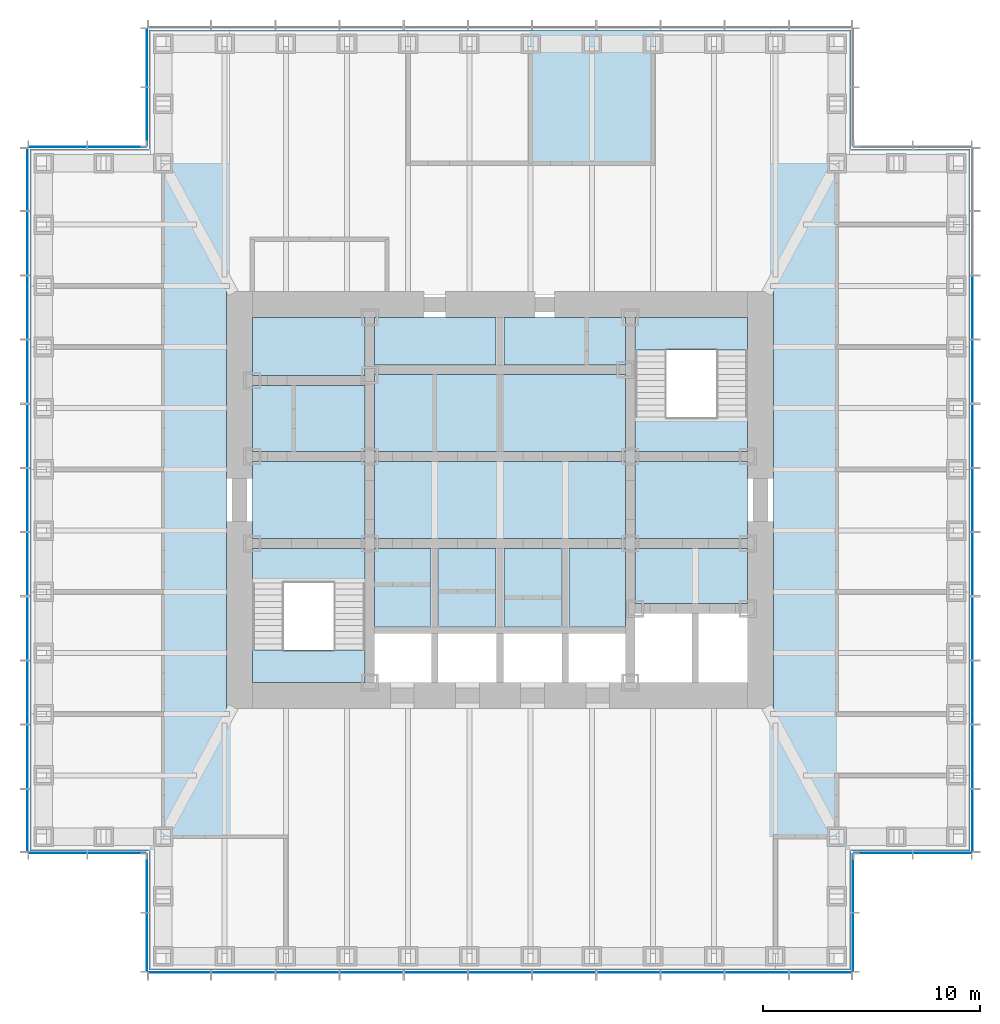
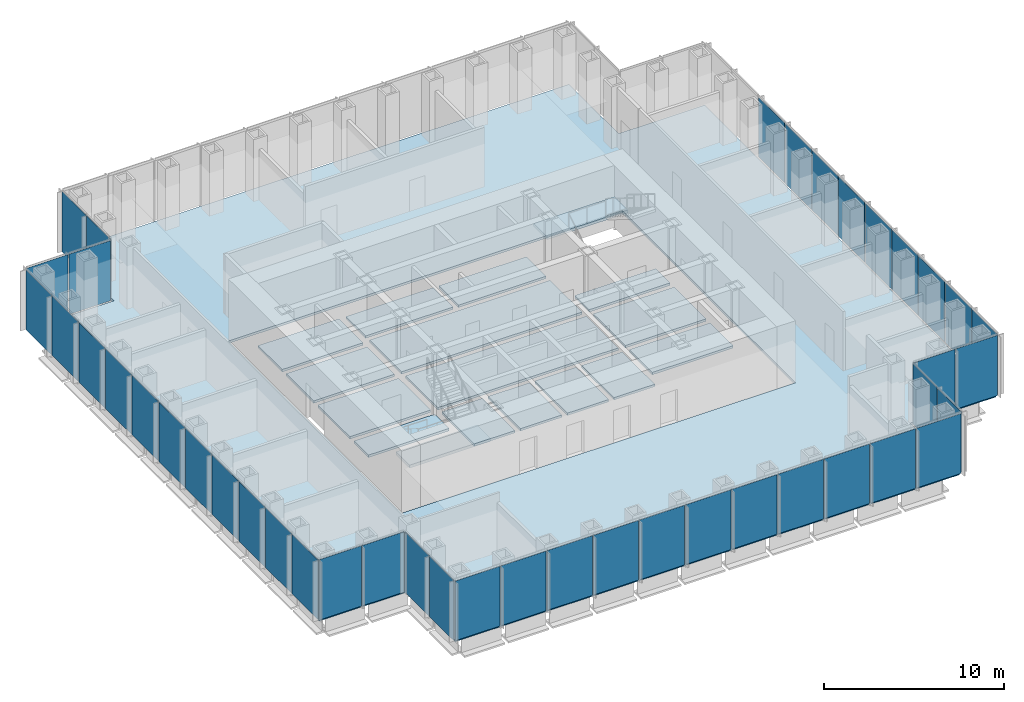
# One storey, part 7 of 16: 43 plates, 18 slabs, 11 elements without a shape of their own.
"""IFC4 building model written with IfcOpenShell, lengths in metres."""

import ifcopenshell
import ifcopenshell.guid

model = None  # the IFC model being written
_history = None  # IfcOwnerHistory: only IFC2X3 demands one
_inside = {}  # id of a spatial element -> (the spatial element, [elements in it])
_under = {}  # id of a project, library or spatial element -> (it, [spatial elements below it])
_declared = {}  # id of a project -> (the project, [libraries it declares])
_typed = {}  # id of a type object -> (the type object, [elements of that type])
_made_of = {}  # id of a material, layer set ... -> (it, [elements and type objects made of it])


def new_model(schema):
    """Start an empty IFC model of exactly this schema.

    Asked for "IFC4X3", IfcOpenShell would pick the latest addendum, in which some entities
    have other attributes; the version numbers below select the first issue.
    IFC2X3 requires an IfcOwnerHistory on every rooted entity: one is made here for all.
    """
    global model, _history
    if schema == "IFC4X3":
        model = ifcopenshell.file(schema_version=(4, 3, 0, 0))
    else:
        model = ifcopenshell.file(schema=schema)
    _inside.clear()
    _under.clear()
    _declared.clear()
    _typed.clear()
    _made_of.clear()
    _history = None
    if model.schema == "IFC2X3":
        org = make("IfcOrganization", Name="unknown")
        user = make(
            "IfcPersonAndOrganization",
            ThePerson=make("IfcPerson", FamilyName="unknown"),
            TheOrganization=org,
        )
        app = make(
            "IfcApplication",
            ApplicationDeveloper=org,
            Version="unknown",
            ApplicationFullName="unknown",
            ApplicationIdentifier="unknown",
        )
        _history = make(
            "IfcOwnerHistory",
            OwningUser=user,
            OwningApplication=app,
            ChangeAction="ADDED",
            CreationDate=0,
        )
    return model


def make(cls, **values):
    """One entity of the class cls with the attributes given. An attribute that is None is left unset."""
    return model.create_entity(
        cls, **{name: value for name, value in values.items() if value is not None}
    )


def rooted(cls, **values):
    """An entity with a GlobalId (a new one), such as an element, a storey or a relation."""
    return make(cls, GlobalId=ifcopenshell.guid.new(), OwnerHistory=_history, **values)


def si_unit(unit_type, name, prefix=None):
    """IfcSIUnit, for example si_unit("LENGTHUNIT", "METRE", prefix="MILLI")."""
    return make("IfcSIUnit", UnitType=unit_type, Prefix=prefix, Name=name)


def assignment(units):
    """IfcUnitAssignment: the units of a project."""
    return None if units is None else make("IfcUnitAssignment", Units=units)


def point(xyz):
    """IfcCartesianPoint."""
    return None if xyz is None else make("IfcCartesianPoint", Coordinates=xyz)


def direction(xyz):
    """IfcDirection."""
    return None if xyz is None else make("IfcDirection", DirectionRatios=xyz)


def frame(location, z_axis=None, x_axis=None):
    """IfcAxis2Placement3D, a coordinate frame: its origin and axes. An axis left out is left unset."""
    return make(
        "IfcAxis2Placement3D",
        Location=point(location),
        Axis=direction(z_axis),
        RefDirection=direction(x_axis),
    )


def frame_2d(location, x_axis=None):
    """IfcAxis2Placement2D, a coordinate frame in the plane: its origin and x axis."""
    return make(
        "IfcAxis2Placement2D", Location=point(location), RefDirection=direction(x_axis)
    )


def origin():
    """The frame at (0, 0, 0) with its axes left unset."""
    return frame((0.0, 0.0, 0.0))


def origin_2d():
    """The frame at (0, 0) in the plane with its x axis left unset."""
    return frame_2d((0.0, 0.0))


def place(relative_to, where):
    """IfcLocalPlacement: puts the frame where relative to a parent placement (None: the world)."""
    return make(
        "IfcLocalPlacement", PlacementRelTo=relative_to, RelativePlacement=where
    )


def context(
    kind, dimensions, precision=None, world=None, true_north=None, identifier=None
):
    """IfcGeometricRepresentationContext, for example the 3D "Model" context."""
    return make(
        "IfcGeometricRepresentationContext",
        ContextIdentifier=identifier,
        ContextType=kind,
        CoordinateSpaceDimension=dimensions,
        Precision=precision,
        WorldCoordinateSystem=world,
        TrueNorth=true_north,
    )


def subcontext(parent, identifier, kind, view, scale=None):
    """IfcGeometricRepresentationSubContext, for example "Body" below "Model"."""
    return make(
        "IfcGeometricRepresentationSubContext",
        ContextIdentifier=identifier,
        ContextType=kind,
        ParentContext=parent,
        TargetScale=scale,
        TargetView=view,
    )


def project(units=None, contexts=None):
    """IfcProject with its units and contexts."""
    return rooted(
        "IfcProject",
        Name="project",
        RepresentationContexts=contexts,
        UnitsInContext=assignment(units),
    )


def spatial(cls, under=None, at=None, **own):
    """A site, building, storey or space (cls), placed at a placement, below another one or the project."""
    s = rooted(cls, ObjectPlacement=at, **own)
    if under is not None:
        _under.setdefault(under.id(), (under, []))[1].append(s)
    return s


def polyline(points):
    """IfcPolyline through the points."""
    return make("IfcPolyline", Points=[point(p) for p in points])


def profile(cls, at=None, kind="AREA", **sizes):
    """A parametric profile (cls). Its sizes go by their IFC names, for example OverallWidth=200.0."""
    return make(cls, ProfileType=kind, Position=at, **sizes)


def rectangle(**sizes):
    """IfcRectangleProfileDef."""
    return profile("IfcRectangleProfileDef", **sizes)


def outline(outer, holes=None, kind="AREA"):
    """IfcArbitraryClosedProfileDef: a profile drawn as a closed curve; with holes, ...WithVoids."""
    if holes is None:
        return make("IfcArbitraryClosedProfileDef", ProfileType=kind, OuterCurve=outer)
    return make(
        "IfcArbitraryProfileDefWithVoids",
        ProfileType=kind,
        OuterCurve=outer,
        InnerCurves=holes,
    )


def extrude(swept, where, along, depth):
    """IfcExtrudedAreaSolid: the profile swept, set in the frame where, extruded along a direction by depth."""
    return make(
        "IfcExtrudedAreaSolid",
        SweptArea=swept,
        Position=where,
        ExtrudedDirection=direction(along),
        Depth=depth,
    )


def shape(context_of_items, identifier, shape_type, items):
    """IfcShapeRepresentation: the items that make up one representation, for example the "Body"."""
    return make(
        "IfcShapeRepresentation",
        ContextOfItems=context_of_items,
        RepresentationIdentifier=identifier,
        RepresentationType=shape_type,
        Items=items,
    )


def material(Name=None, Category=None):
    """IfcMaterial."""
    return make("IfcMaterial", Name=Name, Category=Category)


def layer(
    of_material, thickness, ventilated=None, Name=None, Category=None, Priority=None
):
    """IfcMaterialLayer: one layer of a wall or slab, of a material (None: an air gap)."""
    return make(
        "IfcMaterialLayer",
        Material=of_material,
        LayerThickness=thickness,
        IsVentilated=ventilated,
        Name=Name,
        Category=Category,
        Priority=Priority,
    )


def layer_set(layers, Name=None):
    """IfcMaterialLayerSet."""
    return make("IfcMaterialLayerSet", MaterialLayers=layers, LayerSetName=Name)


def made_of(thing, what):
    """Note that an element or type object is made of a material, layer set ...; save() writes the relation."""
    if what is not None:
        _made_of.setdefault(what.id(), (what, []))[1].append(thing)
    return thing


def type_object(cls, material=None, **own):
    """A type object (cls), such as IfcWallType, which elements share."""
    return made_of(rooted(cls, **own), material)


def element(
    cls,
    number,
    at=None,
    inside=None,
    cuts=None,
    type_object=None,
    material=None,
    context=None,
    identifier="Body",
    shape_type=None,
    held_by="IfcProductDefinitionShape",
    body=None,
    shapes=None,
    **own,
):
    """One element of the class cls, such as IfcWall. Its Tag is "e" and its number.

    at: its placement. inside: the storey or other place that contains it. cuts: it is an
    opening in that element (IfcRelVoidsElement). A single representation is given by context,
    identifier, shape_type and body (its items); several are given by shapes. held_by: the class
    of the entity that holds the representations. save() writes the other relations.
    """
    e = rooted(cls, Tag="e%d" % number, ObjectPlacement=at, **own)
    if body is not None:
        shapes = [shape(context, identifier, shape_type, body)]
    if shapes is not None:
        e.Representation = make(held_by, Representations=shapes)
    if inside is not None:
        _inside.setdefault(inside.id(), (inside, []))[1].append(e)
    if cuts is not None:
        rooted(
            "IfcRelVoidsElement", RelatingBuildingElement=cuts, RelatedOpeningElement=e
        )
    if type_object is not None:
        _typed.setdefault(type_object.id(), (type_object, []))[1].append(e)
    return made_of(e, material)


def aggregate(whole, parts):
    """IfcRelAggregates: a whole, such as a stair, and the parts it consists of."""
    return rooted("IfcRelAggregates", RelatingObject=whole, RelatedObjects=parts)


def save(model, path):
    """Write the relations noted so far, then the file.

    IfcRelAggregates (storeys below a building ...), IfcRelContainedInSpatialStructure (elements
    in a storey), IfcRelDefinesByType, IfcRelAssociatesMaterial and IfcRelDeclares: one each for
    every whole, place, type object, material and project.
    """
    for whole, parts in _under.values():
        aggregate(whole, parts)
    for where, things in _inside.values():
        rooted(
            "IfcRelContainedInSpatialStructure",
            RelatedElements=things,
            RelatingStructure=where,
        )
    for kind, things in _typed.values():
        rooted("IfcRelDefinesByType", RelatedObjects=things, RelatingType=kind)
    for what, things in _made_of.values():
        rooted("IfcRelAssociatesMaterial", RelatedObjects=things, RelatingMaterial=what)
    for by, libraries in _declared.values():
        rooted("IfcRelDeclares", RelatingContext=by, RelatedDefinitions=libraries)
    model.write(path)


model = new_model("IFC4")

# Units and contexts
model_context = context("Model", 3, precision=1e-05, world=origin(), true_north=direction((0.0, 1.0)))
body_context = subcontext(model_context, "Body", "Model", "MODEL_VIEW")
ifc_project = project(units=[si_unit("LENGTHUNIT", "METRE"), si_unit("AREAUNIT", "SQUARE_METRE"), si_unit("VOLUMEUNIT", "CUBIC_METRE"), si_unit("PLANEANGLEUNIT", "RADIAN"), si_unit("MASSUNIT", "GRAM", prefix="KILO")], contexts=[model_context])

# Site, building, storey
site_placement = place(None, origin())
site = spatial("IfcSite", under=ifc_project, at=site_placement, CompositionType="ELEMENT")
building_placement = place(site_placement, origin())
building = spatial("IfcBuilding", under=site, at=building_placement, Name="Daluyong Arena Tower", CompositionType="ELEMENT")
storey_placement = place(building_placement, frame((0.0, 0.0, 189.699951171875)))
storey = spatial("IfcBuildingStorey", under=building, at=storey_placement, Name="L42", CompositionType="ELEMENT", Elevation=189.699951171875)

# Curtain wall, plates
ifc_material_1 = material(Name="Bronze anodised aluminium and glass", Category="aluminium")
curtain_wall_type_1 = type_object("IfcCurtainWallType", Name="Curtain wall CW3", PredefinedType="USERDEFINED", material=ifc_material_1)
curtain_wall_1_placement = place(storey_placement, origin())
curtain_wall_1 = element("IfcCurtainWall", 1, at=curtain_wall_1_placement, inside=storey, type_object=curtain_wall_type_1, Name="curtain wall L42 S", ObjectType="UNITISED CURTAIN WALL", PredefinedType="USERDEFINED")
ifc_material_2 = material(Name="Tinted double glazed unit", Category="glass")
ifc_layer_1 = layer(ifc_material_2, 0.030029296875)
ifc_layer_set_1 = layer_set([ifc_layer_1], Name="Tinted double glazed unit")
plate_type_1 = type_object("IfcPlateType", Name="CW3 panel 30", PredefinedType="CURTAIN_PANEL", material=ifc_layer_set_1)
plate_1_placement = place(storey_placement, frame((41.244873046875, 58.25, 0.0), z_axis=(0.0, 0.0, 1.0), x_axis=(1.0, 0.0, 0.0)))
plate_1 = element("IfcPlate", 2, at=plate_1_placement, type_object=plate_type_1, Name="curtain wall L42 S panel 1", PredefinedType="CURTAIN_PANEL", context=body_context, shape_type="SweptSolid", body=[
    extrude(rectangle(XDim=2.849609375, YDim=0.030029296875, at=origin_2d()), origin(), (0.0, 0.0, 1.0), 4.0400390625),
])
plate_2_placement = place(storey_placement, frame((44.181884765625, 58.25, 0.0), z_axis=(0.0, 0.0, 1.0), x_axis=(1.0, 0.0, 0.0)))
plate_2 = element("IfcPlate", 3, at=plate_2_placement, type_object=plate_type_1, Name="curtain wall L42 S panel 2", PredefinedType="CURTAIN_PANEL", context=body_context, shape_type="SweptSolid", body=[
    extrude(rectangle(XDim=2.884521484375, YDim=0.030029296875, at=origin_2d()), origin(), (0.0, 0.0, 1.0), 4.0400390625),
])
plate_3_placement = place(storey_placement, frame((47.136474609375, 58.25, 0.0), z_axis=(0.0, 0.0, 1.0), x_axis=(1.0, 0.0, 0.0)))
plate_3 = element("IfcPlate", 4, at=plate_3_placement, type_object=plate_type_1, Name="curtain wall L42 S panel 3", PredefinedType="CURTAIN_PANEL", context=body_context, shape_type="SweptSolid", body=[
    extrude(rectangle(XDim=2.884521484375, YDim=0.030029296875, at=origin_2d()), origin(), (0.0, 0.0, 1.0), 4.0400390625),
])
plate_4_placement = place(storey_placement, frame((50.0908203125, 58.25, 0.0), z_axis=(0.0, 0.0, 1.0), x_axis=(1.0, 0.0, 0.0)))
plate_4 = element("IfcPlate", 5, at=plate_4_placement, type_object=plate_type_1, Name="curtain wall L42 S panel 4", PredefinedType="CURTAIN_PANEL", context=body_context, shape_type="SweptSolid", body=[
    extrude(rectangle(XDim=2.884521484375, YDim=0.030029296875, at=origin_2d()), origin(), (0.0, 0.0, 1.0), 4.0400390625),
])
plate_5_placement = place(storey_placement, frame((53.04541015625, 58.25, 0.0), z_axis=(0.0, 0.0, 1.0), x_axis=(1.0, 0.0, 0.0)))
plate_5 = element("IfcPlate", 6, at=plate_5_placement, type_object=plate_type_1, Name="curtain wall L42 S panel 5", PredefinedType="CURTAIN_PANEL", context=body_context, shape_type="SweptSolid", body=[
    extrude(rectangle(XDim=2.884521484375, YDim=0.030029296875, at=origin_2d()), origin(), (0.0, 0.0, 1.0), 4.0400390625),
])
plate_6_placement = place(storey_placement, frame((56.0, 58.25, 0.0), z_axis=(0.0, 0.0, 1.0), x_axis=(1.0, 0.0, 0.0)))
plate_6 = element("IfcPlate", 7, at=plate_6_placement, type_object=plate_type_1, Name="curtain wall L42 S panel 6", PredefinedType="CURTAIN_PANEL", context=body_context, shape_type="SweptSolid", body=[
    extrude(rectangle(XDim=2.884521484375, YDim=0.030029296875, at=origin_2d()), origin(), (0.0, 0.0, 1.0), 4.0400390625),
])
plate_7_placement = place(storey_placement, frame((58.95458984375, 58.25, 0.0), z_axis=(0.0, 0.0, 1.0), x_axis=(1.0, 0.0, 0.0)))
plate_7 = element("IfcPlate", 8, at=plate_7_placement, type_object=plate_type_1, Name="curtain wall L42 S panel 7", PredefinedType="CURTAIN_PANEL", context=body_context, shape_type="SweptSolid", body=[
    extrude(rectangle(XDim=2.884521484375, YDim=0.030029296875, at=origin_2d()), origin(), (0.0, 0.0, 1.0), 4.0400390625),
])
plate_8_placement = place(storey_placement, frame((61.9091796875, 58.25, 0.0), z_axis=(0.0, 0.0, 1.0), x_axis=(1.0, 0.0, 0.0)))
plate_8 = element("IfcPlate", 9, at=plate_8_placement, type_object=plate_type_1, Name="curtain wall L42 S panel 8", PredefinedType="CURTAIN_PANEL", context=body_context, shape_type="SweptSolid", body=[
    extrude(rectangle(XDim=2.884521484375, YDim=0.030029296875, at=origin_2d()), origin(), (0.0, 0.0, 1.0), 4.0400390625),
])
plate_9_placement = place(storey_placement, frame((64.863525390625, 58.25, 0.0), z_axis=(0.0, 0.0, 1.0), x_axis=(1.0, 0.0, 0.0)))
plate_9 = element("IfcPlate", 10, at=plate_9_placement, type_object=plate_type_1, Name="curtain wall L42 S panel 9", PredefinedType="CURTAIN_PANEL", context=body_context, shape_type="SweptSolid", body=[
    extrude(rectangle(XDim=2.884521484375, YDim=0.030029296875, at=origin_2d()), origin(), (0.0, 0.0, 1.0), 4.0400390625),
])
plate_10_placement = place(storey_placement, frame((67.818115234375, 58.25, 0.0), z_axis=(0.0, 0.0, 1.0), x_axis=(1.0, 0.0, 0.0)))
plate_10 = element("IfcPlate", 11, at=plate_10_placement, type_object=plate_type_1, Name="curtain wall L42 S panel 10", PredefinedType="CURTAIN_PANEL", context=body_context, shape_type="SweptSolid", body=[
    extrude(rectangle(XDim=2.884521484375, YDim=0.030029296875, at=origin_2d()), origin(), (0.0, 0.0, 1.0), 4.0400390625),
])
plate_11_placement = place(storey_placement, frame((70.755126953125, 58.25, 0.0), z_axis=(0.0, 0.0, 1.0), x_axis=(1.0, 0.0, 0.0)))
plate_11 = element("IfcPlate", 12, at=plate_11_placement, type_object=plate_type_1, Name="curtain wall L42 S panel 11", PredefinedType="CURTAIN_PANEL", context=body_context, shape_type="SweptSolid", body=[
    extrude(rectangle(XDim=2.849609375, YDim=0.030029296875, at=origin_2d()), origin(), (0.0, 0.0, 1.0), 4.0400390625),
])
aggregate(curtain_wall_1, [plate_1, plate_2, plate_3, plate_4, plate_5, plate_6, plate_7, plate_8, plate_9, plate_10, plate_11])

curtain_wall_2_placement = place(storey_placement, origin())
curtain_wall_2 = element("IfcCurtainWall", 13, at=curtain_wall_2_placement, inside=storey, type_object=curtain_wall_type_1, Name="curtain wall L42 E", ObjectType="UNITISED CURTAIN WALL", PredefinedType="USERDEFINED")
plate_12_placement = place(storey_placement, frame((77.75, 65.244873046875, 0.0), z_axis=(0.0, 0.0, 1.0), x_axis=(0.0, 1.0, 0.0)))
plate_12 = element("IfcPlate", 14, at=plate_12_placement, type_object=plate_type_1, Name="curtain wall L42 E panel 1", PredefinedType="CURTAIN_PANEL", context=body_context, shape_type="SweptSolid", body=[
    extrude(rectangle(XDim=2.849609375, YDim=0.030029296875, at=origin_2d()), origin(), (0.0, 0.0, 1.0), 4.0400390625),
])
plate_13_placement = place(storey_placement, frame((77.75, 68.181884765625, 0.0), z_axis=(0.0, 0.0, 1.0), x_axis=(0.0, 1.0, 0.0)))
plate_13 = element("IfcPlate", 15, at=plate_13_placement, type_object=plate_type_1, Name="curtain wall L42 E panel 2", PredefinedType="CURTAIN_PANEL", context=body_context, shape_type="SweptSolid", body=[
    extrude(rectangle(XDim=2.884521484375, YDim=0.030029296875, at=origin_2d()), origin(), (0.0, 0.0, 1.0), 4.0400390625),
])
plate_14_placement = place(storey_placement, frame((77.75, 71.136474609375, 0.0), z_axis=(0.0, 0.0, 1.0), x_axis=(0.0, 1.0, 0.0)))
plate_14 = element("IfcPlate", 16, at=plate_14_placement, type_object=plate_type_1, Name="curtain wall L42 E panel 3", PredefinedType="CURTAIN_PANEL", context=body_context, shape_type="SweptSolid", body=[
    extrude(rectangle(XDim=2.884521484375, YDim=0.030029296875, at=origin_2d()), origin(), (0.0, 0.0, 1.0), 4.0400390625),
])
plate_15_placement = place(storey_placement, frame((77.75, 74.0908203125, 0.0), z_axis=(0.0, 0.0, 1.0), x_axis=(0.0, 1.0, 0.0)))
plate_15 = element("IfcPlate", 17, at=plate_15_placement, type_object=plate_type_1, Name="curtain wall L42 E panel 4", PredefinedType="CURTAIN_PANEL", context=body_context, shape_type="SweptSolid", body=[
    extrude(rectangle(XDim=2.884521484375, YDim=0.030029296875, at=origin_2d()), origin(), (0.0, 0.0, 1.0), 4.0400390625),
])
plate_16_placement = place(storey_placement, frame((77.75, 77.04541015625, 0.0), z_axis=(0.0, 0.0, 1.0), x_axis=(0.0, 1.0, 0.0)))
plate_16 = element("IfcPlate", 18, at=plate_16_placement, type_object=plate_type_1, Name="curtain wall L42 E panel 5", PredefinedType="CURTAIN_PANEL", context=body_context, shape_type="SweptSolid", body=[
    extrude(rectangle(XDim=2.884521484375, YDim=0.030029296875, at=origin_2d()), origin(), (0.0, 0.0, 1.0), 4.0400390625),
])
plate_17_placement = place(storey_placement, frame((77.75, 80.0, 0.0), z_axis=(0.0, 0.0, 1.0), x_axis=(0.0, 1.0, 0.0)))
plate_17 = element("IfcPlate", 19, at=plate_17_placement, type_object=plate_type_1, Name="curtain wall L42 E panel 6", PredefinedType="CURTAIN_PANEL", context=body_context, shape_type="SweptSolid", body=[
    extrude(rectangle(XDim=2.884521484375, YDim=0.030029296875, at=origin_2d()), origin(), (0.0, 0.0, 1.0), 4.0400390625),
])
plate_18_placement = place(storey_placement, frame((77.75, 82.95458984375, 0.0), z_axis=(0.0, 0.0, 1.0), x_axis=(0.0, 1.0, 0.0)))
plate_18 = element("IfcPlate", 20, at=plate_18_placement, type_object=plate_type_1, Name="curtain wall L42 E panel 7", PredefinedType="CURTAIN_PANEL", context=body_context, shape_type="SweptSolid", body=[
    extrude(rectangle(XDim=2.884521484375, YDim=0.030029296875, at=origin_2d()), origin(), (0.0, 0.0, 1.0), 4.0400390625),
])
plate_19_placement = place(storey_placement, frame((77.75, 85.9091796875, 0.0), z_axis=(0.0, 0.0, 1.0), x_axis=(0.0, 1.0, 0.0)))
plate_19 = element("IfcPlate", 21, at=plate_19_placement, type_object=plate_type_1, Name="curtain wall L42 E panel 8", PredefinedType="CURTAIN_PANEL", context=body_context, shape_type="SweptSolid", body=[
    extrude(rectangle(XDim=2.884521484375, YDim=0.030029296875, at=origin_2d()), origin(), (0.0, 0.0, 1.0), 4.0400390625),
])
plate_20_placement = place(storey_placement, frame((77.75, 88.863525390625, 0.0), z_axis=(0.0, 0.0, 1.0), x_axis=(0.0, 1.0, 0.0)))
plate_20 = element("IfcPlate", 22, at=plate_20_placement, type_object=plate_type_1, Name="curtain wall L42 E panel 9", PredefinedType="CURTAIN_PANEL", context=body_context, shape_type="SweptSolid", body=[
    extrude(rectangle(XDim=2.884521484375, YDim=0.030029296875, at=origin_2d()), origin(), (0.0, 0.0, 1.0), 4.0400390625),
])
aggregate(curtain_wall_2, [plate_12, plate_13, plate_14, plate_15, plate_16, plate_17, plate_18, plate_19, plate_20])

curtain_wall_3_placement = place(storey_placement, origin())
curtain_wall_3 = element("IfcCurtainWall", 23, at=curtain_wall_3_placement, inside=storey, type_object=curtain_wall_type_1, Name="curtain wall L42 W", ObjectType="UNITISED CURTAIN WALL", PredefinedType="USERDEFINED")
plate_21_placement = place(storey_placement, frame((34.25, 94.755126953125, 0.0), z_axis=(0.0, 0.0, 1.0), x_axis=(0.0, -1.0, 0.0)))
plate_21 = element("IfcPlate", 24, at=plate_21_placement, type_object=plate_type_1, Name="curtain wall L42 W panel 1", PredefinedType="CURTAIN_PANEL", context=body_context, shape_type="SweptSolid", body=[
    extrude(rectangle(XDim=2.849609375, YDim=0.030029296875, at=origin_2d()), origin(), (0.0, 0.0, 1.0), 4.0400390625),
])
plate_22_placement = place(storey_placement, frame((34.25, 91.818115234375, 0.0), z_axis=(0.0, 0.0, 1.0), x_axis=(0.0, -1.0, 0.0)))
plate_22 = element("IfcPlate", 25, at=plate_22_placement, type_object=plate_type_1, Name="curtain wall L42 W panel 2", PredefinedType="CURTAIN_PANEL", context=body_context, shape_type="SweptSolid", body=[
    extrude(rectangle(XDim=2.884521484375, YDim=0.030029296875, at=origin_2d()), origin(), (0.0, 0.0, 1.0), 4.0400390625),
])
plate_23_placement = place(storey_placement, frame((34.25, 88.863525390625, 0.0), z_axis=(0.0, 0.0, 1.0), x_axis=(0.0, -1.0, 0.0)))
plate_23 = element("IfcPlate", 26, at=plate_23_placement, type_object=plate_type_1, Name="curtain wall L42 W panel 3", PredefinedType="CURTAIN_PANEL", context=body_context, shape_type="SweptSolid", body=[
    extrude(rectangle(XDim=2.884521484375, YDim=0.030029296875, at=origin_2d()), origin(), (0.0, 0.0, 1.0), 4.0400390625),
])
plate_24_placement = place(storey_placement, frame((34.25, 85.9091796875, 0.0), z_axis=(0.0, 0.0, 1.0), x_axis=(0.0, -1.0, 0.0)))
plate_24 = element("IfcPlate", 27, at=plate_24_placement, type_object=plate_type_1, Name="curtain wall L42 W panel 4", PredefinedType="CURTAIN_PANEL", context=body_context, shape_type="SweptSolid", body=[
    extrude(rectangle(XDim=2.884521484375, YDim=0.030029296875, at=origin_2d()), origin(), (0.0, 0.0, 1.0), 4.0400390625),
])
plate_25_placement = place(storey_placement, frame((34.25, 82.95458984375, 0.0), z_axis=(0.0, 0.0, 1.0), x_axis=(0.0, -1.0, 0.0)))
plate_25 = element("IfcPlate", 28, at=plate_25_placement, type_object=plate_type_1, Name="curtain wall L42 W panel 5", PredefinedType="CURTAIN_PANEL", context=body_context, shape_type="SweptSolid", body=[
    extrude(rectangle(XDim=2.884521484375, YDim=0.030029296875, at=origin_2d()), origin(), (0.0, 0.0, 1.0), 4.0400390625),
])
plate_26_placement = place(storey_placement, frame((34.25, 80.0, 0.0), z_axis=(0.0, 0.0, 1.0), x_axis=(0.0, -1.0, 0.0)))
plate_26 = element("IfcPlate", 29, at=plate_26_placement, type_object=plate_type_1, Name="curtain wall L42 W panel 6", PredefinedType="CURTAIN_PANEL", context=body_context, shape_type="SweptSolid", body=[
    extrude(rectangle(XDim=2.884521484375, YDim=0.030029296875, at=origin_2d()), origin(), (0.0, 0.0, 1.0), 4.0400390625),
])
plate_27_placement = place(storey_placement, frame((34.25, 77.04541015625, 0.0), z_axis=(0.0, 0.0, 1.0), x_axis=(0.0, -1.0, 0.0)))
plate_27 = element("IfcPlate", 30, at=plate_27_placement, type_object=plate_type_1, Name="curtain wall L42 W panel 7", PredefinedType="CURTAIN_PANEL", context=body_context, shape_type="SweptSolid", body=[
    extrude(rectangle(XDim=2.884521484375, YDim=0.030029296875, at=origin_2d()), origin(), (0.0, 0.0, 1.0), 4.0400390625),
])
plate_28_placement = place(storey_placement, frame((34.25, 74.0908203125, 0.0), z_axis=(0.0, 0.0, 1.0), x_axis=(0.0, -1.0, 0.0)))
plate_28 = element("IfcPlate", 31, at=plate_28_placement, type_object=plate_type_1, Name="curtain wall L42 W panel 8", PredefinedType="CURTAIN_PANEL", context=body_context, shape_type="SweptSolid", body=[
    extrude(rectangle(XDim=2.884521484375, YDim=0.030029296875, at=origin_2d()), origin(), (0.0, 0.0, 1.0), 4.0400390625),
])
plate_29_placement = place(storey_placement, frame((34.25, 71.136474609375, 0.0), z_axis=(0.0, 0.0, 1.0), x_axis=(0.0, -1.0, 0.0)))
plate_29 = element("IfcPlate", 32, at=plate_29_placement, type_object=plate_type_1, Name="curtain wall L42 W panel 9", PredefinedType="CURTAIN_PANEL", context=body_context, shape_type="SweptSolid", body=[
    extrude(rectangle(XDim=2.884521484375, YDim=0.030029296875, at=origin_2d()), origin(), (0.0, 0.0, 1.0), 4.0400390625),
])
plate_30_placement = place(storey_placement, frame((34.25, 68.181884765625, 0.0), z_axis=(0.0, 0.0, 1.0), x_axis=(0.0, -1.0, 0.0)))
plate_30 = element("IfcPlate", 33, at=plate_30_placement, type_object=plate_type_1, Name="curtain wall L42 W panel 10", PredefinedType="CURTAIN_PANEL", context=body_context, shape_type="SweptSolid", body=[
    extrude(rectangle(XDim=2.884521484375, YDim=0.030029296875, at=origin_2d()), origin(), (0.0, 0.0, 1.0), 4.0400390625),
])
plate_31_placement = place(storey_placement, frame((34.25, 65.244873046875, 0.0), z_axis=(0.0, 0.0, 1.0), x_axis=(0.0, -1.0, 0.0)))
plate_31 = element("IfcPlate", 34, at=plate_31_placement, type_object=plate_type_1, Name="curtain wall L42 W panel 11", PredefinedType="CURTAIN_PANEL", context=body_context, shape_type="SweptSolid", body=[
    extrude(rectangle(XDim=2.849609375, YDim=0.030029296875, at=origin_2d()), origin(), (0.0, 0.0, 1.0), 4.0400390625),
])
aggregate(curtain_wall_3, [plate_21, plate_22, plate_23, plate_24, plate_25, plate_26, plate_27, plate_28, plate_29, plate_30, plate_31])

ifc_material_3 = material(Name="Bronze anodised aluminium and glass", Category="aluminium")
curtain_wall_type_2 = type_object("IfcCurtainWallType", Name="Curtain wall CW7", PredefinedType="USERDEFINED", material=ifc_material_3)
curtain_wall_4_placement = place(storey_placement, origin())
curtain_wall_4 = element("IfcCurtainWall", 35, at=curtain_wall_4_placement, inside=storey, type_object=curtain_wall_type_2, Name="curtain wall L42 SE-E", ObjectType="UNITISED CURTAIN WALL", PredefinedType="USERDEFINED")
ifc_material_4 = material(Name="Tinted double glazed unit", Category="glass")
ifc_layer_2 = layer(ifc_material_4, 0.028076171875)
ifc_layer_set_2 = layer_set([ifc_layer_2], Name="Tinted double glazed unit")
plate_type_2 = type_object("IfcPlateType", Name="CW7 panel 28", PredefinedType="CURTAIN_PANEL", material=ifc_layer_set_2)
plate_32_placement = place(storey_placement, frame((72.25, 59.639892578125, 0.0), z_axis=(0.0, 0.0, 1.0), x_axis=(0.0, 1.0, 0.0)))
plate_32 = element("IfcPlate", 36, at=plate_32_placement, type_object=plate_type_2, Name="curtain wall L42 SE-E panel 1", PredefinedType="CURTAIN_PANEL", context=body_context, shape_type="SweptSolid", body=[
    extrude(rectangle(XDim=2.659912109375, YDim=0.028076171875, at=origin_2d()), origin(), (0.0, 0.0, 1.0), 4.080078125),
])
plate_33_placement = place(storey_placement, frame((72.25, 62.360107421875, 0.0), z_axis=(0.0, 0.0, 1.0), x_axis=(0.0, 1.0, 0.0)))
plate_33 = element("IfcPlate", 37, at=plate_33_placement, type_object=plate_type_2, Name="curtain wall L42 SE-E panel 2", PredefinedType="CURTAIN_PANEL", context=body_context, shape_type="SweptSolid", body=[
    extrude(rectangle(XDim=2.659912109375, YDim=0.028076171875, at=origin_2d()), origin(), (0.0, 0.0, 1.0), 4.080078125),
])
aggregate(curtain_wall_4, [plate_32, plate_33])

curtain_wall_5_placement = place(storey_placement, origin())
curtain_wall_5 = element("IfcCurtainWall", 38, at=curtain_wall_5_placement, inside=storey, type_object=curtain_wall_type_2, Name="curtain wall L42 SE-S", ObjectType="UNITISED CURTAIN WALL", PredefinedType="USERDEFINED")
plate_34_placement = place(storey_placement, frame((73.639892578125, 63.75, 0.0), z_axis=(0.0, 0.0, 1.0), x_axis=(1.0, 0.0, 0.0)))
plate_34 = element("IfcPlate", 39, at=plate_34_placement, type_object=plate_type_2, Name="curtain wall L42 SE-S panel 1", PredefinedType="CURTAIN_PANEL", context=body_context, shape_type="SweptSolid", body=[
    extrude(rectangle(XDim=2.659912109375, YDim=0.028076171875, at=origin_2d()), origin(), (0.0, 0.0, 1.0), 4.080078125),
])
plate_35_placement = place(storey_placement, frame((76.360107421875, 63.75, 0.0), z_axis=(0.0, 0.0, 1.0), x_axis=(1.0, 0.0, 0.0)))
plate_35 = element("IfcPlate", 40, at=plate_35_placement, type_object=plate_type_2, Name="curtain wall L42 SE-S panel 2", PredefinedType="CURTAIN_PANEL", context=body_context, shape_type="SweptSolid", body=[
    extrude(rectangle(XDim=2.659912109375, YDim=0.028076171875, at=origin_2d()), origin(), (0.0, 0.0, 1.0), 4.080078125),
])
aggregate(curtain_wall_5, [plate_34, plate_35])

curtain_wall_6_placement = place(storey_placement, origin())
curtain_wall_6 = element("IfcCurtainWall", 41, at=curtain_wall_6_placement, inside=storey, type_object=curtain_wall_type_2, Name="curtain wall L42 NW-W", ObjectType="UNITISED CURTAIN WALL", PredefinedType="USERDEFINED")
plate_36_placement = place(storey_placement, frame((39.75, 100.360107421875, 0.0), z_axis=(0.0, 0.0, 1.0), x_axis=(0.0, -1.0, 0.0)))
plate_36 = element("IfcPlate", 42, at=plate_36_placement, type_object=plate_type_2, Name="curtain wall L42 NW-W panel 1", PredefinedType="CURTAIN_PANEL", context=body_context, shape_type="SweptSolid", body=[
    extrude(rectangle(XDim=2.659912109375, YDim=0.028076171875, at=origin_2d()), origin(), (0.0, 0.0, 1.0), 4.080078125),
])
plate_37_placement = place(storey_placement, frame((39.75, 97.639892578125, 0.0), z_axis=(0.0, 0.0, 1.0), x_axis=(0.0, -1.0, 0.0)))
plate_37 = element("IfcPlate", 43, at=plate_37_placement, type_object=plate_type_2, Name="curtain wall L42 NW-W panel 2", PredefinedType="CURTAIN_PANEL", context=body_context, shape_type="SweptSolid", body=[
    extrude(rectangle(XDim=2.659912109375, YDim=0.028076171875, at=origin_2d()), origin(), (0.0, 0.0, 1.0), 4.080078125),
])
aggregate(curtain_wall_6, [plate_36, plate_37])

curtain_wall_7_placement = place(storey_placement, origin())
curtain_wall_7 = element("IfcCurtainWall", 44, at=curtain_wall_7_placement, inside=storey, type_object=curtain_wall_type_2, Name="curtain wall L42 NW-N", ObjectType="UNITISED CURTAIN WALL", PredefinedType="USERDEFINED")
plate_38_placement = place(storey_placement, frame((38.360107421875, 96.25, 0.0), z_axis=(0.0, 0.0, 1.0), x_axis=(-1.0, 0.0, 0.0)))
plate_38 = element("IfcPlate", 45, at=plate_38_placement, type_object=plate_type_2, Name="curtain wall L42 NW-N panel 1", PredefinedType="CURTAIN_PANEL", context=body_context, shape_type="SweptSolid", body=[
    extrude(rectangle(XDim=2.659912109375, YDim=0.028076171875, at=origin_2d()), origin(), (0.0, 0.0, 1.0), 4.080078125),
])
plate_39_placement = place(storey_placement, frame((35.639892578125, 96.25, 0.0), z_axis=(0.0, 0.0, 1.0), x_axis=(-1.0, 0.0, 0.0)))
plate_39 = element("IfcPlate", 46, at=plate_39_placement, type_object=plate_type_2, Name="curtain wall L42 NW-N panel 2", PredefinedType="CURTAIN_PANEL", context=body_context, shape_type="SweptSolid", body=[
    extrude(rectangle(XDim=2.659912109375, YDim=0.028076171875, at=origin_2d()), origin(), (0.0, 0.0, 1.0), 4.080078125),
])
aggregate(curtain_wall_7, [plate_38, plate_39])

curtain_wall_8_placement = place(storey_placement, origin())
curtain_wall_8 = element("IfcCurtainWall", 47, at=curtain_wall_8_placement, inside=storey, type_object=curtain_wall_type_2, Name="curtain wall L42 SW-S", ObjectType="UNITISED CURTAIN WALL", PredefinedType="USERDEFINED")
plate_40_placement = place(storey_placement, frame((35.639892578125, 63.75, 0.0), z_axis=(0.0, 0.0, 1.0), x_axis=(1.0, 0.0, 0.0)))
plate_40 = element("IfcPlate", 48, at=plate_40_placement, type_object=plate_type_2, Name="curtain wall L42 SW-S panel 1", PredefinedType="CURTAIN_PANEL", context=body_context, shape_type="SweptSolid", body=[
    extrude(rectangle(XDim=2.659912109375, YDim=0.028076171875, at=origin_2d()), origin(), (0.0, 0.0, 1.0), 4.080078125),
])
plate_41_placement = place(storey_placement, frame((38.360107421875, 63.75, 0.0), z_axis=(0.0, 0.0, 1.0), x_axis=(1.0, 0.0, 0.0)))
plate_41 = element("IfcPlate", 49, at=plate_41_placement, type_object=plate_type_2, Name="curtain wall L42 SW-S panel 2", PredefinedType="CURTAIN_PANEL", context=body_context, shape_type="SweptSolid", body=[
    extrude(rectangle(XDim=2.659912109375, YDim=0.028076171875, at=origin_2d()), origin(), (0.0, 0.0, 1.0), 4.080078125),
])
aggregate(curtain_wall_8, [plate_40, plate_41])

curtain_wall_9_placement = place(storey_placement, origin())
curtain_wall_9 = element("IfcCurtainWall", 50, at=curtain_wall_9_placement, inside=storey, type_object=curtain_wall_type_2, Name="curtain wall L42 SW-W", ObjectType="UNITISED CURTAIN WALL", PredefinedType="USERDEFINED")
plate_42_placement = place(storey_placement, frame((39.75, 62.360107421875, 0.0), z_axis=(0.0, 0.0, 1.0), x_axis=(0.0, -1.0, 0.0)))
plate_42 = element("IfcPlate", 51, at=plate_42_placement, type_object=plate_type_2, Name="curtain wall L42 SW-W panel 1", PredefinedType="CURTAIN_PANEL", context=body_context, shape_type="SweptSolid", body=[
    extrude(rectangle(XDim=2.659912109375, YDim=0.028076171875, at=origin_2d()), origin(), (0.0, 0.0, 1.0), 4.080078125),
])
plate_43_placement = place(storey_placement, frame((39.75, 59.639892578125, 0.0), z_axis=(0.0, 0.0, 1.0), x_axis=(0.0, -1.0, 0.0)))
plate_43 = element("IfcPlate", 52, at=plate_43_placement, type_object=plate_type_2, Name="curtain wall L42 SW-W panel 2", PredefinedType="CURTAIN_PANEL", context=body_context, shape_type="SweptSolid", body=[
    extrude(rectangle(XDim=2.659912109375, YDim=0.028076171875, at=origin_2d()), origin(), (0.0, 0.0, 1.0), 4.080078125),
])
aggregate(curtain_wall_9, [plate_42, plate_43])

# Stair, slab
ifc_material_5 = material(Name="Concrete fc' 35 MPa", Category="concrete")
stair_type = type_object("IfcStairType", Name="Core exit stair", PredefinedType="HALF_TURN_STAIR", material=ifc_material_5)
stair_1_placement = place(storey_placement, origin())
stair_1 = element("IfcStair", 53, at=stair_1_placement, inside=storey, type_object=stair_type, Name="exit stair A L42", PredefinedType="HALF_TURN_STAIR")
ifc_material_6 = material(Name="Concrete fc' 35 MPa", Category="concrete")
ifc_layer_3 = layer(ifc_material_6, 0.199951171875)
ifc_layer_set_3 = layer_set([ifc_layer_3], Name="Concrete fc' 35 MPa")
slab_type_1 = type_object("IfcSlabType", Name="Stair landing 200", PredefinedType="LANDING", material=ifc_layer_set_3)
slab_1_placement = place(storey_placement, frame((0.0, 0.0, 1.900146484375)))
slab_1 = element("IfcSlab", 54, at=slab_1_placement, type_object=slab_type_1, Name="STA landing 1", PredefinedType="LANDING", context=body_context, shape_type="SweptSolid", body=[
    extrude(outline(polyline([(44.60009765625, 71.60009765625), (49.77490234375, 71.60009765625), (49.77490234375, 73.094970703125), (44.60009765625, 73.094970703125), (44.60009765625, 71.60009765625)])), origin(), (0.0, 0.0, 1.0), 0.199951171875),
])
aggregate(stair_1, [slab_1])

stair_2_placement = place(storey_placement, origin())
stair_2 = element("IfcStair", 55, at=stair_2_placement, inside=storey, type_object=stair_type, Name="exit stair B L42", PredefinedType="HALF_TURN_STAIR")
slab_2_placement = place(storey_placement, frame((0.0, 0.0, 1.900146484375)))
slab_2 = element("IfcSlab", 56, at=slab_2_placement, type_object=slab_type_1, Name="STB landing 1", PredefinedType="LANDING", context=body_context, shape_type="SweptSolid", body=[
    extrude(outline(polyline([(62.22509765625, 86.905029296875), (67.39990234375, 86.905029296875), (67.39990234375, 88.39990234375), (62.22509765625, 88.39990234375), (62.22509765625, 86.905029296875)])), origin(), (0.0, 0.0, 1.0), 0.199951171875),
])
aggregate(stair_2, [slab_2])

# Slabs
ifc_material_7 = material(Name="Concrete fc' 35 MPa", Category="concrete")
ifc_layer_4 = layer(ifc_material_7, 0.159912109375)
ifc_layer_set_4 = layer_set([ifc_layer_4], Name="Concrete fc' 35 MPa")
slab_type_2 = type_object("IfcSlabType", Name="Tower floor slab 160", PredefinedType="FLOOR", material=ifc_layer_set_4)
slab_3_placement = place(storey_placement, frame((0.0, 0.0, -0.159912109375)))
element("IfcSlab", 57, at=slab_3_placement, inside=storey, type_object=slab_type_2, Name="floor L42 part 1", PredefinedType="FLOOR", context=body_context, shape_type="SweptSolid", body=[
    extrude(outline(polyline([(49.77490234375, 77.77490234375), (44.60009765625, 77.77490234375), (44.60009765625, 76.175048828125), (49.77490234375, 76.175048828125), (49.77490234375, 77.77490234375)])), origin(), (0.0, 0.0, 1.0), 0.159912109375),
])
slab_4_placement = place(storey_placement, frame((0.0, 0.0, -0.159912109375)))
element("IfcSlab", 58, at=slab_4_placement, inside=storey, type_object=slab_type_2, Name="floor L42 part 2", PredefinedType="FLOOR", context=body_context, shape_type="SweptSolid", body=[
    extrude(outline(polyline([(49.77490234375, 78.22509765625), (49.77490234375, 81.77490234375), (44.60009765625, 81.77490234375), (44.60009765625, 78.22509765625), (49.77490234375, 78.22509765625)])), origin(), (0.0, 0.0, 1.0), 0.159912109375),
])
slab_5_placement = place(storey_placement, frame((0.0, 0.0, -0.159912109375)))
element("IfcSlab", 59, at=slab_5_placement, inside=storey, type_object=slab_type_2, Name="floor L42 part 3", PredefinedType="FLOOR", context=body_context, shape_type="SweptSolid", body=[
    extrude(outline(polyline([(44.60009765625, 85.27490234375), (44.60009765625, 82.22509765625), (49.77490234375, 82.22509765625), (49.77490234375, 85.27490234375), (44.60009765625, 85.27490234375)])), origin(), (0.0, 0.0, 1.0), 0.159912109375),
])
slab_6_placement = place(storey_placement, frame((0.0, 0.0, -0.159912109375)))
element("IfcSlab", 60, at=slab_6_placement, inside=storey, type_object=slab_type_2, Name="floor L42 part 4", PredefinedType="FLOOR", context=body_context, shape_type="SweptSolid", body=[
    extrude(outline(polyline([(44.60009765625, 88.39990234375), (44.60009765625, 85.72509765625), (49.77490234375, 85.72509765625), (49.77490234375, 88.39990234375), (44.60009765625, 88.39990234375)])), origin(), (0.0, 0.0, 1.0), 0.159912109375),
])
slab_7_placement = place(storey_placement, frame((0.0, 0.0, -0.159912109375)))
element("IfcSlab", 61, at=slab_7_placement, inside=storey, type_object=slab_type_2, Name="floor L42 part 5", PredefinedType="FLOOR", context=body_context, shape_type="SweptSolid", body=[
    extrude(outline(polyline([(52.824951171875, 74.175048828125), (52.824951171875, 77.77490234375), (50.22509765625, 77.77490234375), (50.22509765625, 74.175048828125), (52.824951171875, 74.175048828125)])), origin(), (0.0, 0.0, 1.0), 0.159912109375),
])
slab_8_placement = place(storey_placement, frame((0.0, 0.0, -0.159912109375)))
element("IfcSlab", 62, at=slab_8_placement, inside=storey, type_object=slab_type_2, Name="floor L42 part 6", PredefinedType="FLOOR", context=body_context, shape_type="SweptSolid", body=[
    extrude(outline(polyline([(50.22509765625, 88.39990234375), (50.22509765625, 86.22509765625), (55.824951171875, 86.22509765625), (55.824951171875, 88.39990234375), (50.22509765625, 88.39990234375)])), origin(), (0.0, 0.0, 1.0), 0.159912109375),
])
slab_9_placement = place(storey_placement, frame((0.0, 0.0, -0.159912109375)))
element("IfcSlab", 63, at=slab_9_placement, inside=storey, type_object=slab_type_2, Name="floor L42 part 7", PredefinedType="FLOOR", context=body_context, shape_type="SweptSolid", body=[
    extrude(outline(polyline([(53.175048828125, 74.175048828125), (55.824951171875, 74.175048828125), (55.824951171875, 77.77490234375), (53.175048828125, 77.77490234375), (53.175048828125, 74.175048828125)])), origin(), (0.0, 0.0, 1.0), 0.159912109375),
])
slab_10_placement = place(storey_placement, frame((0.0, 0.0, -0.159912109375)))
element("IfcSlab", 64, at=slab_10_placement, inside=storey, type_object=slab_type_2, Name="floor L42 part 8", PredefinedType="FLOOR", context=body_context, shape_type="SweptSolid", body=[
    extrude(outline(polyline([(39.85009765625, 63.85009765625), (39.85009765625, 58.35009765625), (72.14990234375, 58.35009765625), (72.14990234375, 63.85009765625), (77.64990234375, 63.85009765625), (77.64990234375, 96.14990234375), (72.14990234375, 96.14990234375), (72.14990234375, 101.64990234375), (39.85009765625, 101.64990234375), (39.85009765625, 96.14990234375), (34.35009765625, 96.14990234375), (34.35009765625, 63.85009765625), (39.85009765625, 63.85009765625)]), holes=[polyline([(68.60009765625, 89.60009765625), (68.60009765625, 70.39990234375), (43.39990234375, 70.39990234375), (43.39990234375, 89.60009765625), (68.60009765625, 89.60009765625)])]), origin(), (0.0, 0.0, 1.0), 0.159912109375),
])
slab_11_placement = place(storey_placement, frame((0.0, 0.0, -0.159912109375)))
element("IfcSlab", 65, at=slab_11_placement, inside=storey, type_object=slab_type_2, Name="floor L42 part 9", PredefinedType="FLOOR", context=body_context, shape_type="SweptSolid", body=[
    extrude(outline(polyline([(50.22509765625, 81.77490234375), (50.22509765625, 78.22509765625), (61.77490234375, 78.22509765625), (61.77490234375, 81.77490234375), (50.22509765625, 81.77490234375)])), origin(), (0.0, 0.0, 1.0), 0.159912109375),
])
slab_12_placement = place(storey_placement, frame((0.0, 0.0, -0.159912109375)))
element("IfcSlab", 66, at=slab_12_placement, inside=storey, type_object=slab_type_2, Name="floor L42 part 10", PredefinedType="FLOOR", context=body_context, shape_type="SweptSolid", body=[
    extrude(outline(polyline([(50.22509765625, 85.77490234375), (50.22509765625, 82.22509765625), (61.77490234375, 82.22509765625), (61.77490234375, 85.77490234375), (50.22509765625, 85.77490234375)])), origin(), (0.0, 0.0, 1.0), 0.159912109375),
])
slab_13_placement = place(storey_placement, frame((0.0, 0.0, -0.159912109375)))
element("IfcSlab", 67, at=slab_13_placement, inside=storey, type_object=slab_type_2, Name="floor L42 part 11", PredefinedType="FLOOR", context=body_context, shape_type="SweptSolid", body=[
    extrude(outline(polyline([(58.824951171875, 77.77490234375), (56.175048828125, 77.77490234375), (56.175048828125, 74.175048828125), (58.824951171875, 74.175048828125), (58.824951171875, 77.77490234375)])), origin(), (0.0, 0.0, 1.0), 0.159912109375),
])
slab_14_placement = place(storey_placement, frame((0.0, 0.0, -0.159912109375)))
element("IfcSlab", 68, at=slab_14_placement, inside=storey, type_object=slab_type_2, Name="floor L42 part 12", PredefinedType="FLOOR", context=body_context, shape_type="SweptSolid", body=[
    extrude(outline(polyline([(56.175048828125, 88.39990234375), (56.175048828125, 86.22509765625), (61.77490234375, 86.22509765625), (61.77490234375, 88.39990234375), (56.175048828125, 88.39990234375)])), origin(), (0.0, 0.0, 1.0), 0.159912109375),
])
slab_15_placement = place(storey_placement, frame((0.0, 0.0, -0.159912109375)))
element("IfcSlab", 69, at=slab_15_placement, inside=storey, type_object=slab_type_2, Name="floor L42 part 13", PredefinedType="FLOOR", context=body_context, shape_type="SweptSolid", body=[
    extrude(outline(polyline([(61.77490234375, 77.77490234375), (59.175048828125, 77.77490234375), (59.175048828125, 74.175048828125), (61.77490234375, 74.175048828125), (61.77490234375, 77.77490234375)])), origin(), (0.0, 0.0, 1.0), 0.159912109375),
])
slab_16_placement = place(storey_placement, frame((0.0, 0.0, -0.159912109375)))
element("IfcSlab", 70, at=slab_16_placement, inside=storey, type_object=slab_type_2, Name="floor L42 part 14", PredefinedType="FLOOR", context=body_context, shape_type="SweptSolid", body=[
    extrude(outline(polyline([(67.39990234375, 75.22509765625), (67.39990234375, 77.77490234375), (62.22509765625, 77.77490234375), (62.22509765625, 75.22509765625), (67.39990234375, 75.22509765625)])), origin(), (0.0, 0.0, 1.0), 0.159912109375),
])
slab_17_placement = place(storey_placement, frame((0.0, 0.0, -0.159912109375)))
element("IfcSlab", 71, at=slab_17_placement, inside=storey, type_object=slab_type_2, Name="floor L42 part 15", PredefinedType="FLOOR", context=body_context, shape_type="SweptSolid", body=[
    extrude(outline(polyline([(67.39990234375, 78.22509765625), (67.39990234375, 81.77490234375), (62.22509765625, 81.77490234375), (62.22509765625, 78.22509765625), (67.39990234375, 78.22509765625)])), origin(), (0.0, 0.0, 1.0), 0.159912109375),
])
slab_18_placement = place(storey_placement, frame((0.0, 0.0, -0.159912109375)))
element("IfcSlab", 72, at=slab_18_placement, inside=storey, type_object=slab_type_2, Name="floor L42 part 16", PredefinedType="FLOOR", context=body_context, shape_type="SweptSolid", body=[
    extrude(outline(polyline([(67.39990234375, 83.824951171875), (62.22509765625, 83.824951171875), (62.22509765625, 82.22509765625), (67.39990234375, 82.22509765625), (67.39990234375, 83.824951171875)])), origin(), (0.0, 0.0, 1.0), 0.159912109375),
])

save(model, "model.ifc")
